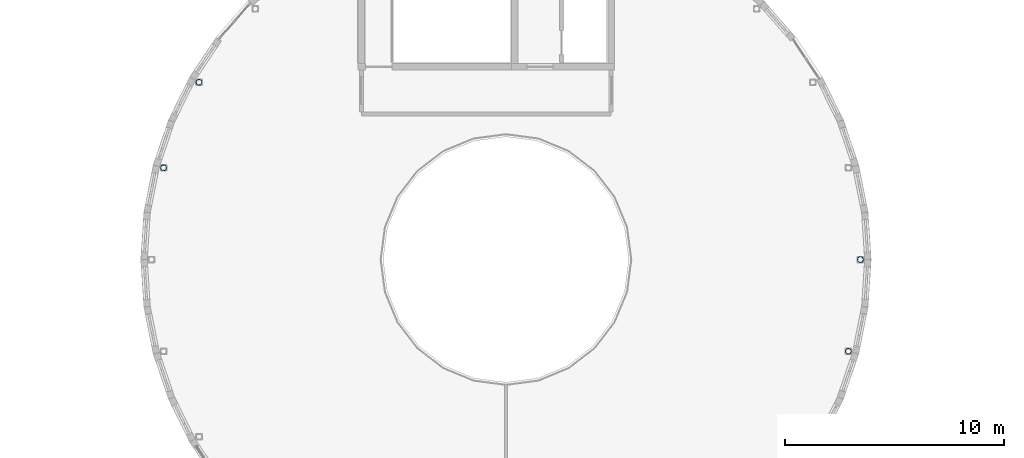
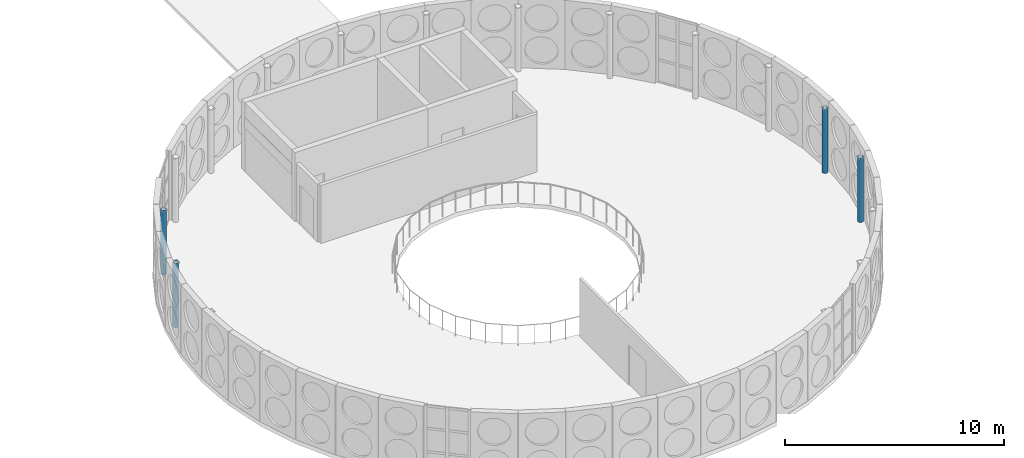
# One storey, part 4 of 114: 4 columns.
"""IFC4 building model written with IfcOpenShell, lengths in metres."""

from ifc_helpers import new_model, si_unit, direction, frame, origin, origin_2d, place, context, subcontext, project, spatial, hollow_circle, extrude, material, material_profile, profile_set, type_object, element, save


model = new_model("IFC4")

# Units and contexts
model_context = context("Model", 3, precision=1e-05, world=origin(), true_north=direction((0.0, 1.0)))
body_context = subcontext(model_context, "Body", "Model", "MODEL_VIEW")
ifc_project = project(units=[si_unit("LENGTHUNIT", "METRE"), si_unit("AREAUNIT", "SQUARE_METRE"), si_unit("VOLUMEUNIT", "CUBIC_METRE"), si_unit("PLANEANGLEUNIT", "RADIAN"), si_unit("MASSUNIT", "GRAM", prefix="KILO")], contexts=[model_context])

# Site, building, storey
site_placement = place(None, origin())
site = spatial("IfcSite", under=ifc_project, at=site_placement, CompositionType="ELEMENT")
building_placement = place(site_placement, origin())
building = spatial("IfcBuilding", under=site, at=building_placement, Name="Montecoro Central Library", CompositionType="ELEMENT")
storey_placement = place(building_placement, frame((0.0, 0.0, 13.260009765625)))
storey = spatial("IfcBuildingStorey", under=building, at=storey_placement, Name="L03", CompositionType="ELEMENT", Elevation=13.260009765625)

# Columns
ifc_material = material(Name="Steel S355", Category="steel")
ifc_material_profile = material_profile(ifc_material, hollow_circle(Radius=0.136474609375, WallThickness=0.012451171875, at=origin_2d()), Name="CHS 273.0x12.5")
ifc_profile_set = profile_set([ifc_material_profile], Name="Steel S355")
column_type = type_object("IfcColumnType", Name="COL-CHS273", PredefinedType="COLUMN", material=ifc_profile_set)
for number, where, z_axis, x_axis, name in (
    (1, (107.780029296875, 35.39990234375, 0.0), (0.0, 0.0, 1.0), (1.0, 0.0, 0.0), "V1-L03-DCOL-01"),
    (2, (77.587890625, 43.489990234375, 0.0), (0.0, 0.0, 1.0), (1.0, 0.0, 0.0), "V1-L03-DCOL-11"),
    (3, (75.970947265625, 39.587890625, 0.0), (0.0, 0.0, 1.0), (1.0, 0.0, 0.0), "V1-L03-DCOL-12"),
    (4, (107.22900390625, 31.2119140625, 0.0), (0.0, 0.0, 1.0), (1.0, 0.0, 0.0), "V1-L03-DCOL-24"),
):
    element("IfcColumn", number, at=place(storey_placement, frame(where, z_axis=z_axis, x_axis=x_axis)), inside=storey, type_object=column_type, Name=name, PredefinedType="COLUMN", context=body_context, shape_type="SweptSolid", body=[
        extrude(hollow_circle(Radius=0.136474609375, WallThickness=0.012451171875, at=origin_2d()), origin(), (0.0, 0.0, 1.0), 3.580078125),
    ])

save(model, "model.ifc")
